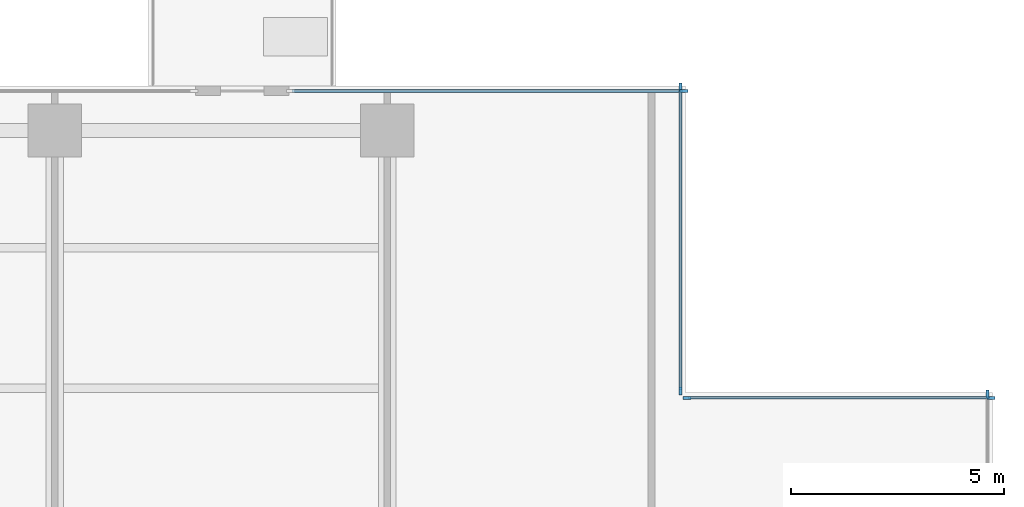
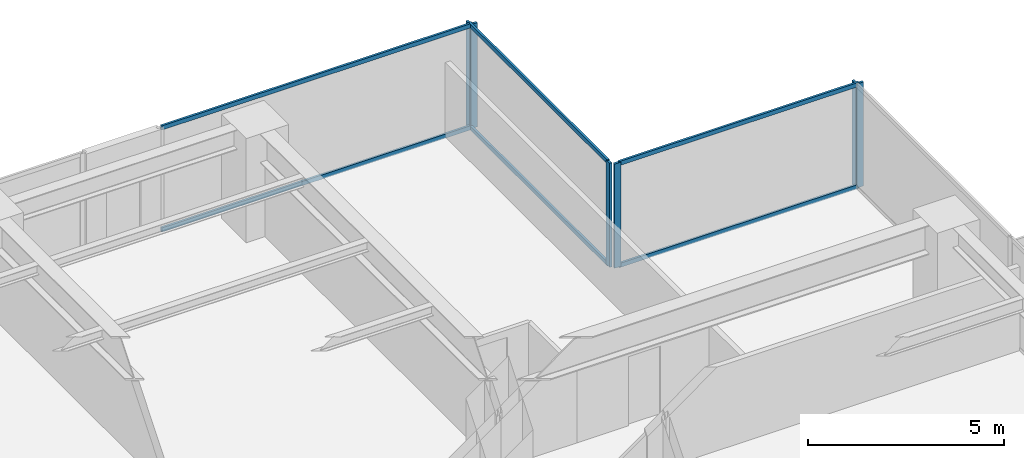
# One storey, part 6 of 17: 12 members, 4 elements without a shape of their own.
"""IFC4 building model written with IfcOpenShell, lengths in metres."""

from ifc_helpers import new_model, si_unit, direction, frame, origin, origin_2d, place, context, subcontext, project, spatial, rectangle, extrude, material, layer, layer_set, material_profile, profile_set, type_object, element, aggregate, save


model = new_model("IFC4")

# Units and contexts
model_context = context("Model", 3, precision=1e-05, world=origin(), true_north=direction((0.0, 1.0)))
body_context = subcontext(model_context, "Body", "Model", "MODEL_VIEW")
ifc_project = project(units=[si_unit("LENGTHUNIT", "METRE"), si_unit("AREAUNIT", "SQUARE_METRE"), si_unit("VOLUMEUNIT", "CUBIC_METRE"), si_unit("PLANEANGLEUNIT", "RADIAN"), si_unit("MASSUNIT", "GRAM", prefix="KILO")], contexts=[model_context])

# Site, building, storey
site_placement = place(None, origin())
site = spatial("IfcSite", under=ifc_project, at=site_placement, CompositionType="ELEMENT")
building_placement = place(site_placement, origin())
building = spatial("IfcBuilding", under=site, at=building_placement, Name="Qalmaran Belvedere Hotel", CompositionType="ELEMENT")
storey_placement = place(building_placement, frame((0.0, 0.0, 88.199951171875)))
storey = spatial("IfcBuildingStorey", under=building, at=storey_placement, Name="L21", CompositionType="ELEMENT", Elevation=88.199951171875)

# Curtain wall, member
ifc_material = material(Name="Anodised Bronze Aluminium", Category="aluminium")
ifc_layer = layer(ifc_material, 0.199951171875, Name="Anodised Bronze Aluminium")
ifc_layer_set = layer_set([ifc_layer], Name="Anodised Bronze Aluminium")
curtain_wall_type = type_object("IfcCurtainWallType", Name="CW3-TOWER-LOWMID", PredefinedType="NOTDEFINED", material=ifc_layer_set)
curtain_wall_1_placement = place(storey_placement, origin())
curtain_wall_1 = element("IfcCurtainWall", 1, at=curtain_wall_1_placement, inside=storey, type_object=curtain_wall_type, Name="L21 Curtain Wall CW3", PredefinedType="NOTDEFINED")
ifc_material_profile_1 = material_profile(ifc_material, rectangle(XDim=0.070068359375, YDim=0.18994140625, at=origin_2d()), Name="CWM70X190")
ifc_profile_set_1 = profile_set([ifc_material_profile_1], Name="Anodised Bronze Aluminium")
member_type_1 = type_object("IfcMemberType", Name="CWM-70X190", PredefinedType="MULLION", material=ifc_profile_set_1)
member_1_placement = place(storey_placement, frame((58.8798828125, 39.264892578125, 0.0), z_axis=(0.0, 0.0, 1.0), x_axis=(-1.0, 0.0, 0.0)))
member_1 = element("IfcMember", 2, at=member_1_placement, type_object=member_type_1, Name="CW3 mullion 5", PredefinedType="MULLION", context=body_context, shape_type="SweptSolid", body=[
    extrude(rectangle(XDim=0.070068359375, YDim=0.18994140625, at=origin_2d()), origin(), (0.0, 0.0, 1.0), 3.239990234375),
])
aggregate(curtain_wall_1, [member_1])

# Curtain wall, members
curtain_wall_2_placement = place(storey_placement, origin())
curtain_wall_2 = element("IfcCurtainWall", 3, at=curtain_wall_2_placement, inside=storey, type_object=curtain_wall_type, Name="L21 Curtain Wall CW3", PredefinedType="NOTDEFINED")
member_2_placement = place(storey_placement, frame((58.965087890625, 39.179931640625, 0.0), z_axis=(0.0, 0.0, 1.0), x_axis=(0.0, -1.0, 0.0)))
member_2 = element("IfcMember", 4, at=member_2_placement, type_object=member_type_1, Name="CW3 mullion 1", PredefinedType="MULLION", context=body_context, shape_type="SweptSolid", body=[
    extrude(rectangle(XDim=0.070068359375, YDim=0.18994140625, at=origin_2d()), origin(), (0.0, 0.0, 1.0), 3.239990234375),
])
member_3_placement = place(storey_placement, frame((51.8349609375, 39.179931640625, 0.0), z_axis=(0.0, 0.0, 1.0), x_axis=(0.0, -1.0, 0.0)))
member_3 = element("IfcMember", 5, at=member_3_placement, type_object=member_type_1, Name="CW3 mullion 2", PredefinedType="MULLION", context=body_context, shape_type="SweptSolid", body=[
    extrude(rectangle(XDim=0.070068359375, YDim=0.18994140625, at=origin_2d()), origin(), (0.0, 0.0, 1.0), 3.239990234375),
])

curtain_wall_3_placement = place(storey_placement, origin())
curtain_wall_3 = element("IfcCurtainWall", 6, at=curtain_wall_3_placement, inside=storey, type_object=curtain_wall_type, Name="L21 Curtain Wall CW3", PredefinedType="NOTDEFINED")
member_4_placement = place(storey_placement, frame((51.679931640625, 39.3349609375, 0.0), z_axis=(0.0, 0.0, 1.0), x_axis=(-1.0, 0.0, 0.0)))
member_4 = element("IfcMember", 7, at=member_4_placement, type_object=member_type_1, Name="CW3 mullion 1", PredefinedType="MULLION", context=body_context, shape_type="SweptSolid", body=[
    extrude(rectangle(XDim=0.070068359375, YDim=0.18994140625, at=origin_2d()), origin(), (0.0, 0.0, 1.0), 3.239990234375),
])
member_5_placement = place(storey_placement, frame((51.679931640625, 46.465087890625, 0.0), z_axis=(0.0, 0.0, 1.0), x_axis=(-1.0, 0.0, 0.0)))
member_5 = element("IfcMember", 8, at=member_5_placement, type_object=member_type_1, Name="CW3 mullion 2", PredefinedType="MULLION", context=body_context, shape_type="SweptSolid", body=[
    extrude(rectangle(XDim=0.070068359375, YDim=0.18994140625, at=origin_2d()), origin(), (0.0, 0.0, 1.0), 3.239990234375),
])

# Curtain wall, member
curtain_wall_4_placement = place(storey_placement, origin())
curtain_wall_4 = element("IfcCurtainWall", 9, at=curtain_wall_4_placement, inside=storey, type_object=curtain_wall_type, Name="L21 Curtain Wall CW3", PredefinedType="NOTDEFINED")
member_6_placement = place(storey_placement, frame((51.764892578125, 46.3798828125, 0.0), z_axis=(0.0, 0.0, 1.0), x_axis=(0.0, -1.0, 0.0)))
member_6 = element("IfcMember", 10, at=member_6_placement, type_object=member_type_1, Name="CW3 mullion 1", PredefinedType="MULLION", context=body_context, shape_type="SweptSolid", body=[
    extrude(rectangle(XDim=0.070068359375, YDim=0.18994140625, at=origin_2d()), origin(), (0.0, 0.0, 1.0), 3.239990234375),
])

# Member
ifc_material_profile_2 = material_profile(ifc_material, rectangle(XDim=0.06494140625, YDim=0.1298828125, at=origin_2d()), Name="CWT65X130")
ifc_profile_set_2 = profile_set([ifc_material_profile_2], Name="Anodised Bronze Aluminium")
member_type_2 = type_object("IfcMemberType", Name="CWT-65X130", PredefinedType="USERDEFINED", material=ifc_profile_set_2)
member_7_placement = place(storey_placement, frame((58.929931640625, 39.179931640625, 0.032470703125), z_axis=(-1.0, 0.0, 0.0), x_axis=(0.0, -1.0, 0.0)))
member_7 = element("IfcMember", 11, at=member_7_placement, type_object=member_type_2, Name="CW3 transom 1.1", ObjectType="TRANSOM", PredefinedType="USERDEFINED", context=body_context, shape_type="SweptSolid", body=[
    extrude(rectangle(XDim=0.06494140625, YDim=0.1298828125, at=origin_2d()), origin(), (0.0, 0.0, 1.0), 7.059814453125),
])

member_8_placement = place(storey_placement, frame((58.929931640625, 39.179931640625, 3.20751953125), z_axis=(-1.0, 0.0, 0.0), x_axis=(0.0, -1.0, 0.0)))
member_8 = element("IfcMember", 12, at=member_8_placement, type_object=member_type_2, Name="CW3 transom 1.2", ObjectType="TRANSOM", PredefinedType="USERDEFINED", context=body_context, shape_type="SweptSolid", body=[
    extrude(rectangle(XDim=0.06494140625, YDim=0.1298828125, at=origin_2d()), origin(), (0.0, 0.0, 1.0), 7.059814453125),
])

aggregate(curtain_wall_2, [member_2, member_3, member_7, member_8])

member_9_placement = place(storey_placement, frame((51.679931640625, 39.3701171875, 0.032470703125), z_axis=(0.0, 1.0, 0.0), x_axis=(-1.0, 0.0, 0.0)))
member_9 = element("IfcMember", 13, at=member_9_placement, type_object=member_type_2, Name="CW3 transom 1.1", ObjectType="TRANSOM", PredefinedType="USERDEFINED", context=body_context, shape_type="SweptSolid", body=[
    extrude(rectangle(XDim=0.06494140625, YDim=0.1298828125, at=origin_2d()), origin(), (0.0, 0.0, 1.0), 7.059814453125),
])

member_10_placement = place(storey_placement, frame((51.679931640625, 39.3701171875, 3.20751953125), z_axis=(0.0, 1.0, 0.0), x_axis=(-1.0, 0.0, 0.0)))
member_10 = element("IfcMember", 14, at=member_10_placement, type_object=member_type_2, Name="CW3 transom 1.2", ObjectType="TRANSOM", PredefinedType="USERDEFINED", context=body_context, shape_type="SweptSolid", body=[
    extrude(rectangle(XDim=0.06494140625, YDim=0.1298828125, at=origin_2d()), origin(), (0.0, 0.0, 1.0), 7.059814453125),
])

aggregate(curtain_wall_3, [member_4, member_5, member_9, member_10])

member_11_placement = place(storey_placement, frame((51.72998046875, 46.3798828125, 0.032470703125), z_axis=(-1.0, 0.0, 0.0), x_axis=(0.0, -1.0, 0.0)))
member_11 = element("IfcMember", 15, at=member_11_placement, type_object=member_type_2, Name="CW3 transom 1.1", ObjectType="TRANSOM", PredefinedType="USERDEFINED", context=body_context, shape_type="SweptSolid", body=[
    extrude(rectangle(XDim=0.06494140625, YDim=0.1298828125, at=origin_2d()), origin(), (0.0, 0.0, 1.0), 9.159912109375),
])

member_12_placement = place(storey_placement, frame((51.72998046875, 46.3798828125, 3.20751953125), z_axis=(-1.0, 0.0, 0.0), x_axis=(0.0, -1.0, 0.0)))
member_12 = element("IfcMember", 16, at=member_12_placement, type_object=member_type_2, Name="CW3 transom 1.2", ObjectType="TRANSOM", PredefinedType="USERDEFINED", context=body_context, shape_type="SweptSolid", body=[
    extrude(rectangle(XDim=0.06494140625, YDim=0.1298828125, at=origin_2d()), origin(), (0.0, 0.0, 1.0), 9.159912109375),
])

aggregate(curtain_wall_4, [member_6, member_11, member_12])

save(model, "model.ifc")
